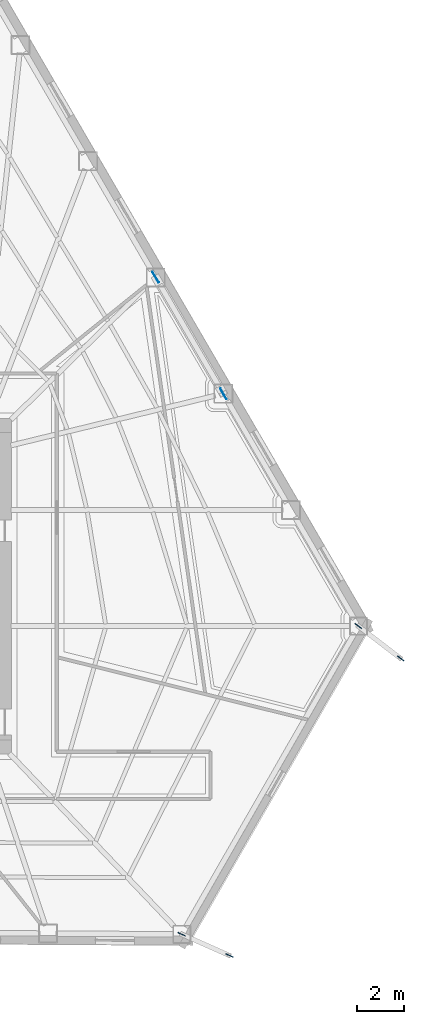
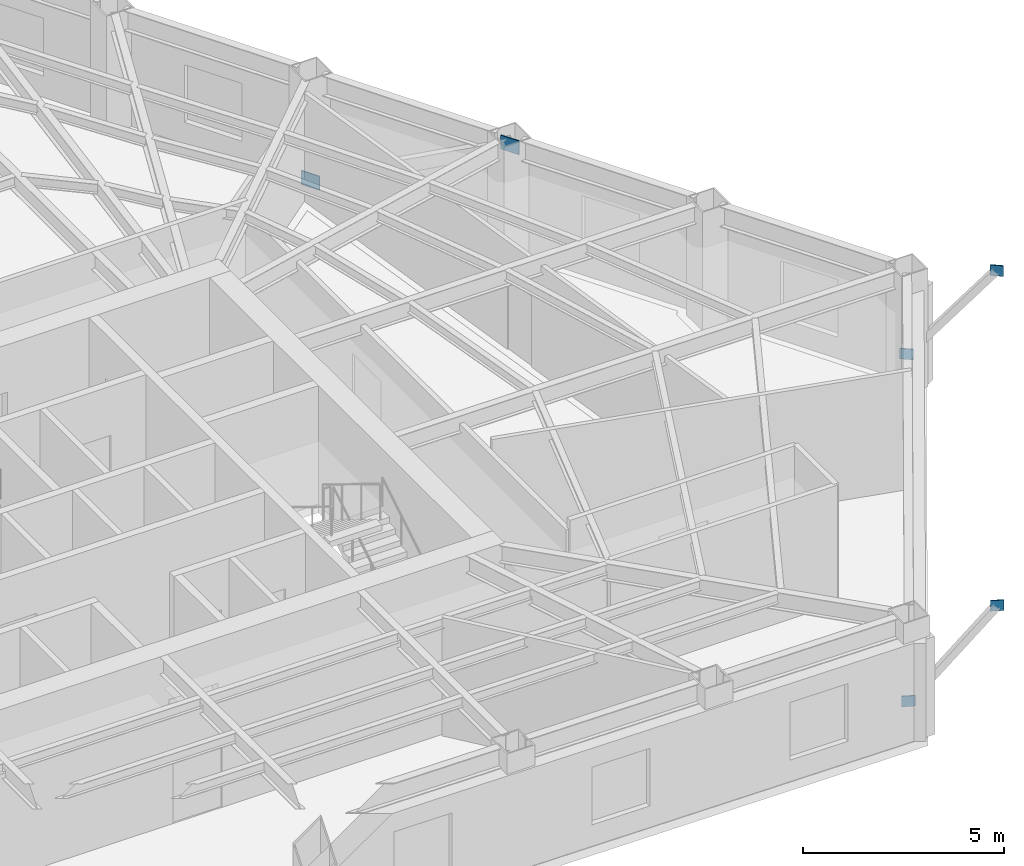
# One storey, part 5 of 12: 6 plates.
"""IFC4 building model written with IfcOpenShell, lengths in metres."""

from ifc_helpers import new_model, si_unit, direction, frame, origin, origin_2d, place, context, subcontext, project, spatial, rectangle, extrude, material, layer, layer_set, type_object, element, save


model = new_model("IFC4")

# Units and contexts
model_context = context("Model", 3, precision=1e-05, world=origin(), true_north=direction((0.0, 1.0)))
body_context = subcontext(model_context, "Body", "Model", "MODEL_VIEW")
ifc_project = project(units=[si_unit("LENGTHUNIT", "METRE"), si_unit("AREAUNIT", "SQUARE_METRE"), si_unit("VOLUMEUNIT", "CUBIC_METRE"), si_unit("PLANEANGLEUNIT", "RADIAN"), si_unit("MASSUNIT", "GRAM", prefix="KILO")], contexts=[model_context])

# Site, building, storey
site_placement = place(None, origin())
site = spatial("IfcSite", under=ifc_project, at=site_placement, CompositionType="ELEMENT")
building_placement = place(site_placement, origin())
building = spatial("IfcBuilding", under=site, at=building_placement, Name="Kavelnor Concourse Tower", CompositionType="ELEMENT")
storey_placement = place(building_placement, frame((0.0, 0.0, 44.5)))
storey = spatial("IfcBuildingStorey", under=building, at=storey_placement, Name="L11", CompositionType="ELEMENT", Elevation=44.5)

# Plates
ifc_material = material(Name="Steel Grade 350", Category="steel")
ifc_layer_1 = layer(ifc_material, 0.028076171875, Name="Steel Grade 350")
ifc_layer_set_1 = layer_set([ifc_layer_1], Name="Steel Grade 350")
plate_type_1 = type_object("IfcPlateType", Name="PL-GUSSET-FOLD", PredefinedType="USERDEFINED", material=ifc_layer_set_1)
for number, where, z_axis, x_axis, name in (
    (1, (55.30419921875, 1.38037109375, 0.73974609375), (0.0, 0.0, 1.0), (0.913970890274, -0.405779757666, 0.0), "L11 Terrace Strut Gusset GP4 C2-A End Gusset A"),
    (2, (57.329833984375, 0.48095703125, 3.47509765625), (0.0, 0.0, 1.0), (0.913970890274, -0.405779757666, 0.0), "L11 Terrace Strut Gusset GP4 C2-A End Gusset B"),
    (3, (62.779052734375, 14.417236328125, 0.73974609375), (0.0, 0.0, 1.0), (0.793990398648, -0.607930297695, 0.0), "L11 Terrace Strut Gusset GP4 C2-B End Gusset A"),
    (4, (64.570556640625, 13.04541015625, 3.47509765625), (0.0, 0.0, 1.0), (0.793990398648, -0.607930297695, 0.0), "L11 Terrace Strut Gusset GP4 C2-B End Gusset B"),
):
    element("IfcPlate", number, at=place(storey_placement, frame(where, z_axis=z_axis, x_axis=x_axis)), inside=storey, type_object=plate_type_1, Name=name, ObjectType="GUSSET_PLATE", PredefinedType="USERDEFINED", context=body_context, shape_type="SweptSolid", body=[
        extrude(rectangle(XDim=0.340087890625, YDim=0.028076171875, at=origin_2d()), origin(), (0.0, 0.0, 1.0), 0.320068359375),
    ])
ifc_layer_2 = layer(ifc_material, 0.031982421875, Name="Steel Grade 350")
ifc_layer_set_2 = layer_set([ifc_layer_2], Name="Steel Grade 350")
plate_type_2 = type_object("IfcPlateType", Name="PL-GUSSET-TUBE-Z1", PredefinedType="USERDEFINED", material=ifc_layer_set_2)
for number, where, z_axis, x_axis, name in (
    (5, (54.206298828125, 29.17333984375, 0.010009765625), (0.0, 0.0, 1.0), (0.50256734447, -0.864538064097, 0.0), "L11 Tube Brace Gusset GP3 F2-B2 End Gusset A"),
    (6, (57.076904296875, 24.23486328125, 3.073974609375), (0.0, 0.0, 1.0), (0.50256734447, -0.864538064097, 0.0), "L11 Tube Brace Gusset GP3 F2-B2 End Gusset B"),
):
    element("IfcPlate", number, at=place(storey_placement, frame(where, z_axis=z_axis, x_axis=x_axis)), inside=storey, type_object=plate_type_2, Name=name, ObjectType="GUSSET_PLATE", PredefinedType="USERDEFINED", context=body_context, shape_type="SweptSolid", body=[
        extrude(rectangle(XDim=0.52001953125, YDim=0.031982421875, at=origin_2d()), origin(), (0.0, 0.0, 1.0), 0.419921875),
    ])

save(model, "model.ifc")
